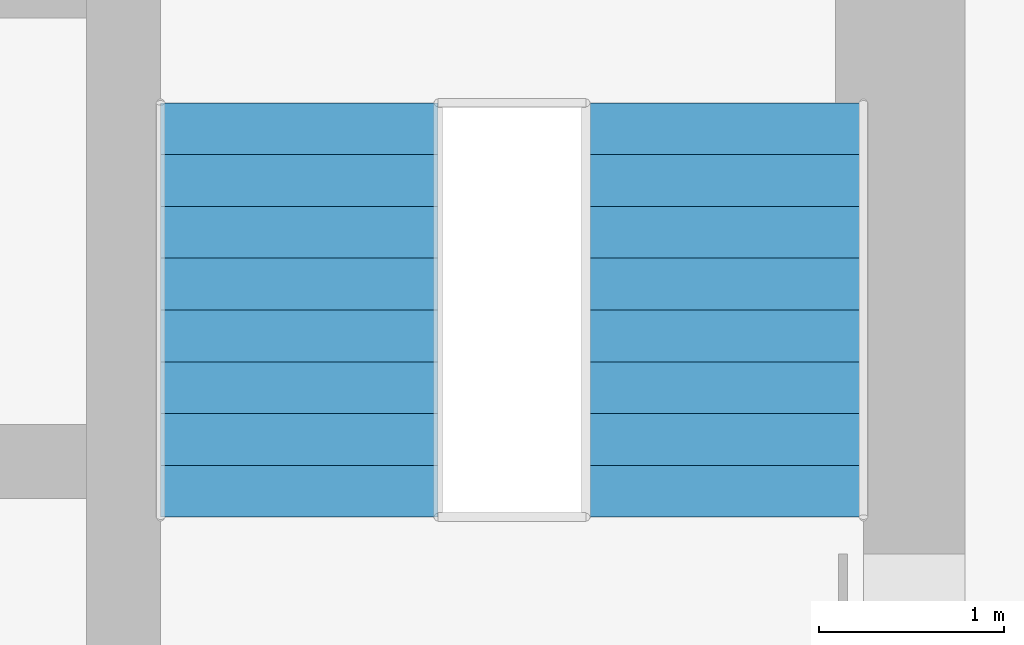
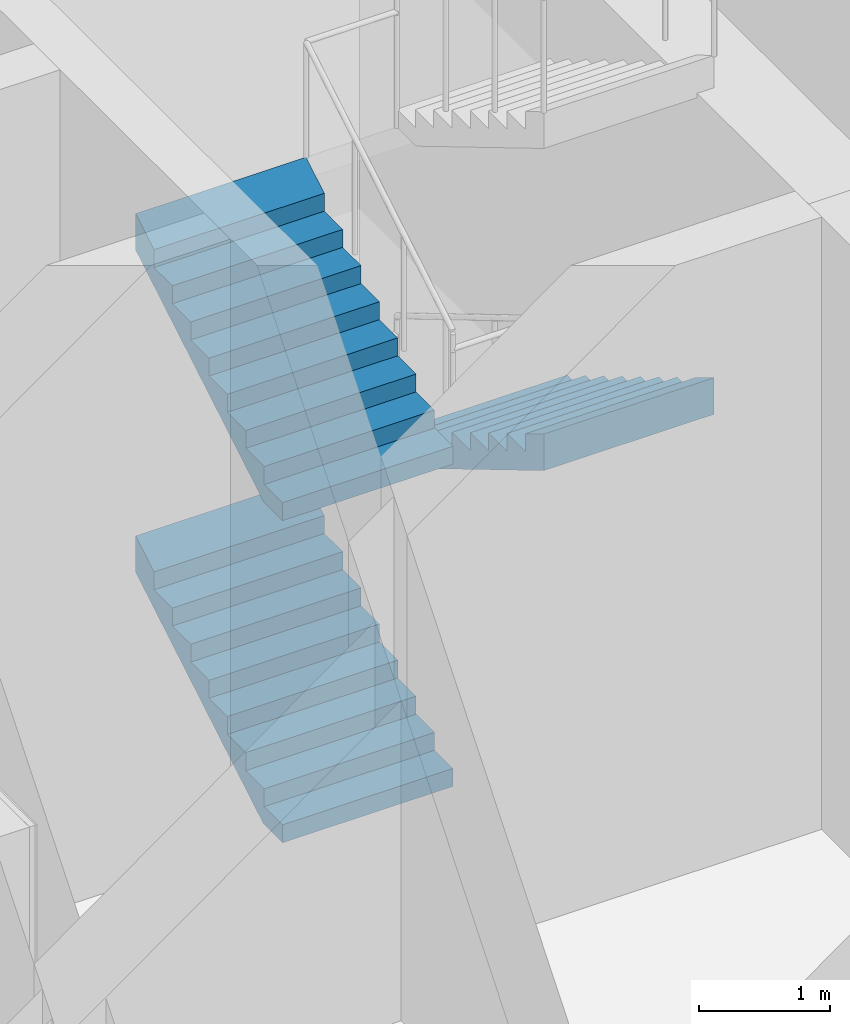
# One storey, part 21 of 32: 3 stair flights, 1 element without a shape of its own.
"""IFC4 building model written with IfcOpenShell, lengths in metres."""

from ifc_helpers import new_model, si_unit, direction, frame, origin, place, context, subcontext, project, spatial, triangles, material, type_object, element, aggregate, save


model = new_model("IFC4")

# Units and contexts
model_context = context("Model", 3, precision=1e-05, world=origin(), true_north=direction((0.0, 1.0)))
body_context = subcontext(model_context, "Body", "Model", "MODEL_VIEW")
ifc_project = project(units=[si_unit("LENGTHUNIT", "METRE"), si_unit("AREAUNIT", "SQUARE_METRE"), si_unit("VOLUMEUNIT", "CUBIC_METRE"), si_unit("PLANEANGLEUNIT", "RADIAN"), si_unit("MASSUNIT", "GRAM", prefix="KILO")], contexts=[model_context])

# Site, building, storey
site_placement = place(None, origin())
site = spatial("IfcSite", under=ifc_project, at=site_placement, CompositionType="ELEMENT")
building_placement = place(site_placement, origin())
building = spatial("IfcBuilding", under=site, at=building_placement, Name="Ludao Terraces", CompositionType="ELEMENT")
storey_placement = place(building_placement, origin())
storey = spatial("IfcBuildingStorey", under=building, at=storey_placement, Name="L00", CompositionType="ELEMENT", Elevation=0.0)

# Stair, stair flights
ifc_material = material(Name="Concrete C40", Category="concrete")
stair_type = type_object("IfcStairType", Name="INT Stair", PredefinedType="HALF_TURN_STAIR", material=ifc_material)
stair_placement = place(storey_placement, origin())
stair = element("IfcStair", 1, at=stair_placement, inside=storey, type_object=stair_type, Name="EXIT STAIR 2", PredefinedType="HALF_TURN_STAIR")
stair_flight_type = type_object("IfcStairFlightType", Name="INT Stair flight", PredefinedType="STRAIGHT", material=ifc_material)
stair_flight_1_placement = place(storey_placement, frame((91.5, 79.0, 0.0), z_axis=(0.0, 0.0, 1.0), x_axis=(0.0, 1.0, 0.0)))
stair_flight_1 = element("IfcStairFlight", 2, at=stair_flight_1_placement, type_object=stair_flight_type, Name="ST2 flight 1", NumberOfRisers=9, NumberOfTreads=8, PredefinedType="STRAIGHT", RiserHeight=0.166667, TreadLength=0.28, context=body_context, shape_type="Tessellation", body=[
    triangles([(0.0, -0.75, 0.0), (0.0, -0.5, 0.0), (0.0, -0.25, 0.0), (0.0, 0.0, 0.0), (0.0, 0.25, 0.0), (0.0, 0.5, 0.0), (0.0, 0.75, 0.0), (0.0, -0.75, 0.166748046875), (0.0, -0.5, 0.166748046875), (0.0, -0.25, 0.166748046875), (0.0, 0.0, 0.166748046875), (0.0, 0.25, 0.166748046875), (0.0, 0.5, 0.166748046875), (0.0, 0.75, 0.166748046875), (0.280029296875, -0.75, 0.166748046875), (0.280029296875, -0.5, 0.166748046875), (0.280029296875, -0.25, 0.166748046875), (0.280029296875, 0.0, 0.166748046875), (0.280029296875, 0.25, 0.166748046875), (0.280029296875, 0.5, 0.166748046875), (0.280029296875, 0.75, 0.166748046875), (0.280029296875, -0.75, 0.333251953125), (0.280029296875, -0.5, 0.333251953125), (0.280029296875, -0.25, 0.333251953125), (0.280029296875, 0.0, 0.333251953125), (0.280029296875, 0.25, 0.333251953125), (0.280029296875, 0.5, 0.333251953125), (0.280029296875, 0.75, 0.333251953125), (0.56005859375, -0.75, 0.333251953125), (0.56005859375, -0.5, 0.333251953125), (0.56005859375, -0.25, 0.333251953125), (0.56005859375, 0.0, 0.333251953125), (0.56005859375, 0.25, 0.333251953125), (0.56005859375, 0.5, 0.333251953125), (0.56005859375, 0.75, 0.333251953125), (0.56005859375, -0.75, 0.5), (0.56005859375, -0.5, 0.5), (0.56005859375, -0.25, 0.5), (0.56005859375, 0.0, 0.5), (0.56005859375, 0.25, 0.5), (0.56005859375, 0.5, 0.5), (0.56005859375, 0.75, 0.5), (0.840087890625, -0.75, 0.5), (0.840087890625, -0.5, 0.5), (0.840087890625, -0.25, 0.5), (0.840087890625, 0.0, 0.5), (0.840087890625, 0.25, 0.5), (0.840087890625, 0.5, 0.5), (0.840087890625, 0.75, 0.5), (0.840087890625, -0.75, 0.666748046875), (0.840087890625, -0.5, 0.666748046875), (0.840087890625, -0.25, 0.666748046875), (0.840087890625, 0.0, 0.666748046875), (0.840087890625, 0.25, 0.666748046875), (0.840087890625, 0.5, 0.666748046875), (0.840087890625, 0.75, 0.666748046875), (1.1201171875, -0.75, 0.666748046875), (1.1201171875, -0.5, 0.666748046875), (1.1201171875, -0.25, 0.666748046875), (1.1201171875, 0.0, 0.666748046875), (1.1201171875, 0.25, 0.666748046875), (1.1201171875, 0.5, 0.666748046875), (1.1201171875, 0.75, 0.666748046875), (1.1201171875, -0.75, 0.833251953125), (1.1201171875, -0.5, 0.833251953125), (1.1201171875, -0.25, 0.833251953125), (1.1201171875, 0.0, 0.833251953125), (1.1201171875, 0.25, 0.833251953125), (1.1201171875, 0.5, 0.833251953125), (1.1201171875, 0.75, 0.833251953125), (1.39990234375, -0.75, 0.833251953125), (1.39990234375, -0.5, 0.833251953125), (1.39990234375, -0.25, 0.833251953125), (1.39990234375, 0.0, 0.833251953125), (1.39990234375, 0.25, 0.833251953125), (1.39990234375, 0.5, 0.833251953125), (1.39990234375, 0.75, 0.833251953125), (1.39990234375, -0.75, 1.0), (1.39990234375, -0.5, 1.0), (1.39990234375, -0.25, 1.0), (1.39990234375, 0.0, 1.0), (1.39990234375, 0.25, 1.0), (1.39990234375, 0.5, 1.0), (1.39990234375, 0.75, 1.0), (1.679931640625, -0.75, 1.0), (1.679931640625, -0.5, 1.0), (1.679931640625, -0.25, 1.0), (1.679931640625, 0.0, 1.0), (1.679931640625, 0.25, 1.0), (1.679931640625, 0.5, 1.0), (1.679931640625, 0.75, 1.0), (1.679931640625, -0.75, 1.166748046875), (1.679931640625, -0.5, 1.166748046875), (1.679931640625, -0.25, 1.166748046875), (1.679931640625, 0.0, 1.166748046875), (1.679931640625, 0.25, 1.166748046875), (1.679931640625, 0.5, 1.166748046875), (1.679931640625, 0.75, 1.166748046875), (1.9599609375, -0.75, 1.166748046875), (1.9599609375, -0.5, 1.166748046875), (1.9599609375, -0.25, 1.166748046875), (1.9599609375, 0.0, 1.166748046875), (1.9599609375, 0.25, 1.166748046875), (1.9599609375, 0.5, 1.166748046875), (1.9599609375, 0.75, 1.166748046875), (1.9599609375, -0.75, 1.333251953125), (1.9599609375, -0.5, 1.333251953125), (1.9599609375, -0.25, 1.333251953125), (1.9599609375, 0.0, 1.333251953125), (1.9599609375, 0.25, 1.333251953125), (1.9599609375, 0.5, 1.333251953125), (1.9599609375, 0.75, 1.333251953125), (2.239990234375, -0.75, 1.5), (2.239990234375, -0.5, 1.5), (2.239990234375, -0.25, 1.5), (2.239990234375, 0.0, 1.5), (2.239990234375, 0.25, 1.5), (2.239990234375, 0.5, 1.5), (2.239990234375, 0.75, 1.5), (2.239990234375, -0.75, 1.158935546875), (2.239990234375, -0.5, 1.158935546875), (2.239990234375, -0.25, 1.158935546875), (2.239990234375, 0.0, 1.158935546875), (2.239990234375, 0.25, 1.158935546875), (2.239990234375, 0.5, 1.158935546875), (2.239990234375, 0.75, 1.158935546875), (0.29296875, -0.75, 0.0), (0.29296875, -0.5, 0.0), (0.29296875, -0.25, 0.0), (0.29296875, 0.0, 0.0), (0.29296875, 0.25, 0.0), (0.29296875, 0.5, 0.0), (0.29296875, 0.75, 0.0)], [[1, 127, 120], [7, 126, 133], [120, 113, 106], [126, 112, 119], [120, 106, 99], [126, 105, 112], [120, 99, 92], [126, 98, 105], [120, 92, 85], [126, 91, 98], [85, 78, 71], [91, 77, 84], [120, 85, 71], [126, 77, 91], [71, 64, 57], [77, 63, 70], [120, 71, 57], [126, 63, 77], [57, 50, 43], [63, 49, 56], [120, 57, 43], [126, 49, 63], [43, 36, 29], [49, 35, 42], [120, 43, 29], [126, 35, 49], [1, 120, 29], [7, 35, 126], [29, 22, 15], [35, 21, 28], [1, 29, 15], [7, 21, 35], [15, 8, 1], [21, 7, 14], [1, 9, 2], [1, 8, 9], [2, 10, 3], [2, 9, 10], [3, 11, 4], [3, 10, 11], [4, 12, 5], [4, 11, 12], [5, 13, 6], [5, 12, 13], [6, 14, 7], [6, 13, 14], [8, 16, 9], [8, 15, 16], [9, 17, 10], [9, 16, 17], [10, 18, 11], [10, 17, 18], [11, 19, 12], [11, 18, 19], [12, 20, 13], [12, 19, 20], [13, 21, 14], [13, 20, 21], [15, 23, 16], [15, 22, 23], [16, 24, 17], [16, 23, 24], [17, 25, 18], [17, 24, 25], [18, 26, 19], [18, 25, 26], [19, 27, 20], [19, 26, 27], [20, 28, 21], [20, 27, 28], [22, 30, 23], [22, 29, 30], [23, 31, 24], [23, 30, 31], [24, 32, 25], [24, 31, 32], [25, 33, 26], [25, 32, 33], [26, 34, 27], [26, 33, 34], [27, 35, 28], [27, 34, 35], [29, 37, 30], [29, 36, 37], [30, 38, 31], [30, 37, 38], [31, 39, 32], [31, 38, 39], [32, 40, 33], [32, 39, 40], [33, 41, 34], [33, 40, 41], [34, 42, 35], [34, 41, 42], [36, 44, 37], [36, 43, 44], [37, 45, 38], [37, 44, 45], [38, 46, 39], [38, 45, 46], [39, 47, 40], [39, 46, 47], [40, 48, 41], [40, 47, 48], [41, 49, 42], [41, 48, 49], [43, 51, 44], [43, 50, 51], [44, 52, 45], [44, 51, 52], [45, 53, 46], [45, 52, 53], [46, 54, 47], [46, 53, 54], [47, 55, 48], [47, 54, 55], [48, 56, 49], [48, 55, 56], [50, 58, 51], [50, 57, 58], [51, 59, 52], [51, 58, 59], [52, 60, 53], [52, 59, 60], [53, 61, 54], [53, 60, 61], [54, 62, 55], [54, 61, 62], [55, 63, 56], [55, 62, 63], [57, 65, 58], [57, 64, 65], [58, 66, 59], [58, 65, 66], [59, 67, 60], [59, 66, 67], [60, 68, 61], [60, 67, 68], [61, 69, 62], [61, 68, 69], [62, 70, 63], [62, 69, 70], [64, 72, 65], [64, 71, 72], [65, 73, 66], [65, 72, 73], [66, 74, 67], [66, 73, 74], [67, 75, 68], [67, 74, 75], [68, 76, 69], [68, 75, 76], [69, 77, 70], [69, 76, 77], [71, 79, 72], [71, 78, 79], [72, 80, 73], [72, 79, 80], [73, 81, 74], [73, 80, 81], [74, 82, 75], [74, 81, 82], [75, 83, 76], [75, 82, 83], [76, 84, 77], [76, 83, 84], [78, 86, 79], [78, 85, 86], [79, 87, 80], [79, 86, 87], [80, 88, 81], [80, 87, 88], [81, 89, 82], [81, 88, 89], [82, 90, 83], [82, 89, 90], [83, 91, 84], [83, 90, 91], [85, 93, 86], [85, 92, 93], [86, 94, 87], [86, 93, 94], [87, 95, 88], [87, 94, 95], [88, 96, 89], [88, 95, 96], [89, 97, 90], [89, 96, 97], [90, 98, 91], [90, 97, 98], [92, 100, 93], [92, 99, 100], [93, 101, 94], [93, 100, 101], [94, 102, 95], [94, 101, 102], [95, 103, 96], [95, 102, 103], [96, 104, 97], [96, 103, 104], [97, 105, 98], [97, 104, 105], [99, 107, 100], [99, 106, 107], [100, 108, 101], [100, 107, 108], [101, 109, 102], [101, 108, 109], [102, 110, 103], [102, 109, 110], [103, 111, 104], [103, 110, 111], [104, 112, 105], [104, 111, 112], [106, 114, 107], [106, 113, 114], [107, 115, 108], [107, 114, 115], [108, 116, 109], [108, 115, 116], [109, 117, 110], [109, 116, 117], [110, 118, 111], [110, 117, 118], [111, 119, 112], [111, 118, 119], [113, 121, 114], [113, 120, 121], [114, 122, 115], [114, 121, 122], [115, 123, 116], [115, 122, 123], [116, 124, 117], [116, 123, 124], [117, 125, 118], [117, 124, 125], [118, 126, 119], [118, 125, 126], [120, 128, 121], [120, 127, 128], [121, 129, 122], [121, 128, 129], [122, 130, 123], [122, 129, 130], [123, 131, 124], [123, 130, 131], [124, 132, 125], [124, 131, 132], [125, 133, 126], [125, 132, 133], [127, 2, 128], [127, 1, 2], [128, 3, 129], [128, 2, 3], [129, 4, 130], [129, 3, 4], [130, 5, 131], [130, 4, 5], [131, 6, 132], [131, 5, 6], [132, 7, 133], [132, 6, 7]], closed=True),
])
stair_flight_2_placement = place(storey_placement, frame((93.800048828125, 81.239990234375, 1.5), z_axis=(0.0, 0.0, 1.0), x_axis=(0.0, -1.0, 0.0)))
stair_flight_2 = element("IfcStairFlight", 3, at=stair_flight_2_placement, type_object=stair_flight_type, Name="ST2 flight 2", NumberOfRisers=9, NumberOfTreads=8, PredefinedType="STRAIGHT", RiserHeight=0.166667, TreadLength=0.28, context=body_context, shape_type="Tessellation", body=[
    triangles([(0.0, -0.75, 0.0), (0.0, -0.5, 0.0), (0.0, -0.25, 0.0), (0.0, 0.0, 0.0), (0.0, 0.25, 0.0), (0.0, 0.5, 0.0), (0.0, 0.75, 0.0), (0.0, -0.75, 0.166748046875), (0.0, -0.5, 0.166748046875), (0.0, -0.25, 0.166748046875), (0.0, 0.0, 0.166748046875), (0.0, 0.25, 0.166748046875), (0.0, 0.5, 0.166748046875), (0.0, 0.75, 0.166748046875), (0.280029296875, -0.75, 0.166748046875), (0.280029296875, -0.5, 0.166748046875), (0.280029296875, -0.25, 0.166748046875), (0.280029296875, 0.0, 0.166748046875), (0.280029296875, 0.25, 0.166748046875), (0.280029296875, 0.5, 0.166748046875), (0.280029296875, 0.75, 0.166748046875), (0.280029296875, -0.75, 0.333251953125), (0.280029296875, -0.5, 0.333251953125), (0.280029296875, -0.25, 0.333251953125), (0.280029296875, 0.0, 0.333251953125), (0.280029296875, 0.25, 0.333251953125), (0.280029296875, 0.5, 0.333251953125), (0.280029296875, 0.75, 0.333251953125), (0.56005859375, -0.75, 0.333251953125), (0.56005859375, -0.5, 0.333251953125), (0.56005859375, -0.25, 0.333251953125), (0.56005859375, 0.0, 0.333251953125), (0.56005859375, 0.25, 0.333251953125), (0.56005859375, 0.5, 0.333251953125), (0.56005859375, 0.75, 0.333251953125), (0.56005859375, -0.75, 0.5), (0.56005859375, -0.5, 0.5), (0.56005859375, -0.25, 0.5), (0.56005859375, 0.0, 0.5), (0.56005859375, 0.25, 0.5), (0.56005859375, 0.5, 0.5), (0.56005859375, 0.75, 0.5), (0.840087890625, -0.75, 0.5), (0.840087890625, -0.5, 0.5), (0.840087890625, -0.25, 0.5), (0.840087890625, 0.0, 0.5), (0.840087890625, 0.25, 0.5), (0.840087890625, 0.5, 0.5), (0.840087890625, 0.75, 0.5), (0.840087890625, -0.75, 0.666748046875), (0.840087890625, -0.5, 0.666748046875), (0.840087890625, -0.25, 0.666748046875), (0.840087890625, 0.0, 0.666748046875), (0.840087890625, 0.25, 0.666748046875), (0.840087890625, 0.5, 0.666748046875), (0.840087890625, 0.75, 0.666748046875), (1.1201171875, -0.75, 0.666748046875), (1.1201171875, -0.5, 0.666748046875), (1.1201171875, -0.25, 0.666748046875), (1.1201171875, 0.0, 0.666748046875), (1.1201171875, 0.25, 0.666748046875), (1.1201171875, 0.5, 0.666748046875), (1.1201171875, 0.75, 0.666748046875), (1.1201171875, -0.75, 0.833251953125), (1.1201171875, -0.5, 0.833251953125), (1.1201171875, -0.25, 0.833251953125), (1.1201171875, 0.0, 0.833251953125), (1.1201171875, 0.25, 0.833251953125), (1.1201171875, 0.5, 0.833251953125), (1.1201171875, 0.75, 0.833251953125), (1.39990234375, -0.75, 0.833251953125), (1.39990234375, -0.5, 0.833251953125), (1.39990234375, -0.25, 0.833251953125), (1.39990234375, 0.0, 0.833251953125), (1.39990234375, 0.25, 0.833251953125), (1.39990234375, 0.5, 0.833251953125), (1.39990234375, 0.75, 0.833251953125), (1.39990234375, -0.75, 1.0), (1.39990234375, -0.5, 1.0), (1.39990234375, -0.25, 1.0), (1.39990234375, 0.0, 1.0), (1.39990234375, 0.25, 1.0), (1.39990234375, 0.5, 1.0), (1.39990234375, 0.75, 1.0), (1.679931640625, -0.75, 1.0), (1.679931640625, -0.5, 1.0), (1.679931640625, -0.25, 1.0), (1.679931640625, 0.0, 1.0), (1.679931640625, 0.25, 1.0), (1.679931640625, 0.5, 1.0), (1.679931640625, 0.75, 1.0), (1.679931640625, -0.75, 1.166748046875), (1.679931640625, -0.5, 1.166748046875), (1.679931640625, -0.25, 1.166748046875), (1.679931640625, 0.0, 1.166748046875), (1.679931640625, 0.25, 1.166748046875), (1.679931640625, 0.5, 1.166748046875), (1.679931640625, 0.75, 1.166748046875), (1.9599609375, -0.75, 1.166748046875), (1.9599609375, -0.5, 1.166748046875), (1.9599609375, -0.25, 1.166748046875), (1.9599609375, 0.0, 1.166748046875), (1.9599609375, 0.25, 1.166748046875), (1.9599609375, 0.5, 1.166748046875), (1.9599609375, 0.75, 1.166748046875), (1.9599609375, -0.75, 1.333251953125), (1.9599609375, -0.5, 1.333251953125), (1.9599609375, -0.25, 1.333251953125), (1.9599609375, 0.0, 1.333251953125), (1.9599609375, 0.25, 1.333251953125), (1.9599609375, 0.5, 1.333251953125), (1.9599609375, 0.75, 1.333251953125), (2.239990234375, -0.75, 1.5), (2.239990234375, -0.5, 1.5), (2.239990234375, -0.25, 1.5), (2.239990234375, 0.0, 1.5), (2.239990234375, 0.25, 1.5), (2.239990234375, 0.5, 1.5), (2.239990234375, 0.75, 1.5), (2.239990234375, -0.75, 1.158935546875), (2.239990234375, -0.5, 1.158935546875), (2.239990234375, -0.25, 1.158935546875), (2.239990234375, 0.0, 1.158935546875), (2.239990234375, 0.25, 1.158935546875), (2.239990234375, 0.5, 1.158935546875), (2.239990234375, 0.75, 1.158935546875), (0.29296875, -0.75, 0.0), (0.29296875, -0.5, 0.0), (0.29296875, -0.25, 0.0), (0.29296875, 0.0, 0.0), (0.29296875, 0.25, 0.0), (0.29296875, 0.5, 0.0), (0.29296875, 0.75, 0.0)], [[1, 127, 120], [7, 126, 133], [120, 113, 106], [126, 112, 119], [120, 106, 99], [126, 105, 112], [120, 99, 92], [126, 98, 105], [120, 92, 85], [126, 91, 98], [85, 78, 71], [91, 77, 84], [120, 85, 71], [126, 77, 91], [71, 64, 57], [77, 63, 70], [120, 71, 57], [126, 63, 77], [57, 50, 43], [63, 49, 56], [120, 57, 43], [126, 49, 63], [43, 36, 29], [49, 35, 42], [120, 43, 29], [126, 35, 49], [1, 120, 29], [7, 35, 126], [29, 22, 15], [35, 21, 28], [1, 29, 15], [7, 21, 35], [15, 8, 1], [21, 7, 14], [1, 9, 2], [1, 8, 9], [2, 10, 3], [2, 9, 10], [3, 11, 4], [3, 10, 11], [4, 12, 5], [4, 11, 12], [5, 13, 6], [5, 12, 13], [6, 14, 7], [6, 13, 14], [8, 16, 9], [8, 15, 16], [9, 17, 10], [9, 16, 17], [10, 18, 11], [10, 17, 18], [11, 19, 12], [11, 18, 19], [12, 20, 13], [12, 19, 20], [13, 21, 14], [13, 20, 21], [15, 23, 16], [15, 22, 23], [16, 24, 17], [16, 23, 24], [17, 25, 18], [17, 24, 25], [18, 26, 19], [18, 25, 26], [19, 27, 20], [19, 26, 27], [20, 28, 21], [20, 27, 28], [22, 30, 23], [22, 29, 30], [23, 31, 24], [23, 30, 31], [24, 32, 25], [24, 31, 32], [25, 33, 26], [25, 32, 33], [26, 34, 27], [26, 33, 34], [27, 35, 28], [27, 34, 35], [29, 37, 30], [29, 36, 37], [30, 38, 31], [30, 37, 38], [31, 39, 32], [31, 38, 39], [32, 40, 33], [32, 39, 40], [33, 41, 34], [33, 40, 41], [34, 42, 35], [34, 41, 42], [36, 44, 37], [36, 43, 44], [37, 45, 38], [37, 44, 45], [38, 46, 39], [38, 45, 46], [39, 47, 40], [39, 46, 47], [40, 48, 41], [40, 47, 48], [41, 49, 42], [41, 48, 49], [43, 51, 44], [43, 50, 51], [44, 52, 45], [44, 51, 52], [45, 53, 46], [45, 52, 53], [46, 54, 47], [46, 53, 54], [47, 55, 48], [47, 54, 55], [48, 56, 49], [48, 55, 56], [50, 58, 51], [50, 57, 58], [51, 59, 52], [51, 58, 59], [52, 60, 53], [52, 59, 60], [53, 61, 54], [53, 60, 61], [54, 62, 55], [54, 61, 62], [55, 63, 56], [55, 62, 63], [57, 65, 58], [57, 64, 65], [58, 66, 59], [58, 65, 66], [59, 67, 60], [59, 66, 67], [60, 68, 61], [60, 67, 68], [61, 69, 62], [61, 68, 69], [62, 70, 63], [62, 69, 70], [64, 72, 65], [64, 71, 72], [65, 73, 66], [65, 72, 73], [66, 74, 67], [66, 73, 74], [67, 75, 68], [67, 74, 75], [68, 76, 69], [68, 75, 76], [69, 77, 70], [69, 76, 77], [71, 79, 72], [71, 78, 79], [72, 80, 73], [72, 79, 80], [73, 81, 74], [73, 80, 81], [74, 82, 75], [74, 81, 82], [75, 83, 76], [75, 82, 83], [76, 84, 77], [76, 83, 84], [78, 86, 79], [78, 85, 86], [79, 87, 80], [79, 86, 87], [80, 88, 81], [80, 87, 88], [81, 89, 82], [81, 88, 89], [82, 90, 83], [82, 89, 90], [83, 91, 84], [83, 90, 91], [85, 93, 86], [85, 92, 93], [86, 94, 87], [86, 93, 94], [87, 95, 88], [87, 94, 95], [88, 96, 89], [88, 95, 96], [89, 97, 90], [89, 96, 97], [90, 98, 91], [90, 97, 98], [92, 100, 93], [92, 99, 100], [93, 101, 94], [93, 100, 101], [94, 102, 95], [94, 101, 102], [95, 103, 96], [95, 102, 103], [96, 104, 97], [96, 103, 104], [97, 105, 98], [97, 104, 105], [99, 107, 100], [99, 106, 107], [100, 108, 101], [100, 107, 108], [101, 109, 102], [101, 108, 109], [102, 110, 103], [102, 109, 110], [103, 111, 104], [103, 110, 111], [104, 112, 105], [104, 111, 112], [106, 114, 107], [106, 113, 114], [107, 115, 108], [107, 114, 115], [108, 116, 109], [108, 115, 116], [109, 117, 110], [109, 116, 117], [110, 118, 111], [110, 117, 118], [111, 119, 112], [111, 118, 119], [113, 121, 114], [113, 120, 121], [114, 122, 115], [114, 121, 122], [115, 123, 116], [115, 122, 123], [116, 124, 117], [116, 123, 124], [117, 125, 118], [117, 124, 125], [118, 126, 119], [118, 125, 126], [120, 128, 121], [120, 127, 128], [121, 129, 122], [121, 128, 129], [122, 130, 123], [122, 129, 130], [123, 131, 124], [123, 130, 131], [124, 132, 125], [124, 131, 132], [125, 133, 126], [125, 132, 133], [127, 2, 128], [127, 1, 2], [128, 3, 129], [128, 2, 3], [129, 4, 130], [129, 3, 4], [130, 5, 131], [130, 4, 5], [131, 6, 132], [131, 5, 6], [132, 7, 133], [132, 6, 7]], closed=True),
])
stair_flight_3_placement = place(storey_placement, frame((91.5, 79.0, 3.0), z_axis=(0.0, 0.0, 1.0), x_axis=(0.0, 1.0, 0.0)))
stair_flight_3 = element("IfcStairFlight", 4, at=stair_flight_3_placement, type_object=stair_flight_type, Name="ST2 flight 3", NumberOfRisers=9, NumberOfTreads=8, PredefinedType="STRAIGHT", RiserHeight=0.166667, TreadLength=0.28, context=body_context, shape_type="Tessellation", body=[
    triangles([(0.0, -0.75, 0.0), (0.0, -0.5, 0.0), (0.0, -0.25, 0.0), (0.0, 0.0, 0.0), (0.0, 0.25, 0.0), (0.0, 0.5, 0.0), (0.0, 0.75, 0.0), (0.0, -0.75, 0.166748046875), (0.0, -0.5, 0.166748046875), (0.0, -0.25, 0.166748046875), (0.0, 0.0, 0.166748046875), (0.0, 0.25, 0.166748046875), (0.0, 0.5, 0.166748046875), (0.0, 0.75, 0.166748046875), (0.280029296875, -0.75, 0.166748046875), (0.280029296875, -0.5, 0.166748046875), (0.280029296875, -0.25, 0.166748046875), (0.280029296875, 0.0, 0.166748046875), (0.280029296875, 0.25, 0.166748046875), (0.280029296875, 0.5, 0.166748046875), (0.280029296875, 0.75, 0.166748046875), (0.280029296875, -0.75, 0.333251953125), (0.280029296875, -0.5, 0.333251953125), (0.280029296875, -0.25, 0.333251953125), (0.280029296875, 0.0, 0.333251953125), (0.280029296875, 0.25, 0.333251953125), (0.280029296875, 0.5, 0.333251953125), (0.280029296875, 0.75, 0.333251953125), (0.56005859375, -0.75, 0.333251953125), (0.56005859375, -0.5, 0.333251953125), (0.56005859375, -0.25, 0.333251953125), (0.56005859375, 0.0, 0.333251953125), (0.56005859375, 0.25, 0.333251953125), (0.56005859375, 0.5, 0.333251953125), (0.56005859375, 0.75, 0.333251953125), (0.56005859375, -0.75, 0.5), (0.56005859375, -0.5, 0.5), (0.56005859375, -0.25, 0.5), (0.56005859375, 0.0, 0.5), (0.56005859375, 0.25, 0.5), (0.56005859375, 0.5, 0.5), (0.56005859375, 0.75, 0.5), (0.840087890625, -0.75, 0.5), (0.840087890625, -0.5, 0.5), (0.840087890625, -0.25, 0.5), (0.840087890625, 0.0, 0.5), (0.840087890625, 0.25, 0.5), (0.840087890625, 0.5, 0.5), (0.840087890625, 0.75, 0.5), (0.840087890625, -0.75, 0.666748046875), (0.840087890625, -0.5, 0.666748046875), (0.840087890625, -0.25, 0.666748046875), (0.840087890625, 0.0, 0.666748046875), (0.840087890625, 0.25, 0.666748046875), (0.840087890625, 0.5, 0.666748046875), (0.840087890625, 0.75, 0.666748046875), (1.1201171875, -0.75, 0.666748046875), (1.1201171875, -0.5, 0.666748046875), (1.1201171875, -0.25, 0.666748046875), (1.1201171875, 0.0, 0.666748046875), (1.1201171875, 0.25, 0.666748046875), (1.1201171875, 0.5, 0.666748046875), (1.1201171875, 0.75, 0.666748046875), (1.1201171875, -0.75, 0.833251953125), (1.1201171875, -0.5, 0.833251953125), (1.1201171875, -0.25, 0.833251953125), (1.1201171875, 0.0, 0.833251953125), (1.1201171875, 0.25, 0.833251953125), (1.1201171875, 0.5, 0.833251953125), (1.1201171875, 0.75, 0.833251953125), (1.39990234375, -0.75, 0.833251953125), (1.39990234375, -0.5, 0.833251953125), (1.39990234375, -0.25, 0.833251953125), (1.39990234375, 0.0, 0.833251953125), (1.39990234375, 0.25, 0.833251953125), (1.39990234375, 0.5, 0.833251953125), (1.39990234375, 0.75, 0.833251953125), (1.39990234375, -0.75, 1.0), (1.39990234375, -0.5, 1.0), (1.39990234375, -0.25, 1.0), (1.39990234375, 0.0, 1.0), (1.39990234375, 0.25, 1.0), (1.39990234375, 0.5, 1.0), (1.39990234375, 0.75, 1.0), (1.679931640625, -0.75, 1.0), (1.679931640625, -0.5, 1.0), (1.679931640625, -0.25, 1.0), (1.679931640625, 0.0, 1.0), (1.679931640625, 0.25, 1.0), (1.679931640625, 0.5, 1.0), (1.679931640625, 0.75, 1.0), (1.679931640625, -0.75, 1.166748046875), (1.679931640625, -0.5, 1.166748046875), (1.679931640625, -0.25, 1.166748046875), (1.679931640625, 0.0, 1.166748046875), (1.679931640625, 0.25, 1.166748046875), (1.679931640625, 0.5, 1.166748046875), (1.679931640625, 0.75, 1.166748046875), (1.9599609375, -0.75, 1.166748046875), (1.9599609375, -0.5, 1.166748046875), (1.9599609375, -0.25, 1.166748046875), (1.9599609375, 0.0, 1.166748046875), (1.9599609375, 0.25, 1.166748046875), (1.9599609375, 0.5, 1.166748046875), (1.9599609375, 0.75, 1.166748046875), (1.9599609375, -0.75, 1.333251953125), (1.9599609375, -0.5, 1.333251953125), (1.9599609375, -0.25, 1.333251953125), (1.9599609375, 0.0, 1.333251953125), (1.9599609375, 0.25, 1.333251953125), (1.9599609375, 0.5, 1.333251953125), (1.9599609375, 0.75, 1.333251953125), (2.239990234375, -0.75, 1.5), (2.239990234375, -0.5, 1.5), (2.239990234375, -0.25, 1.5), (2.239990234375, 0.0, 1.5), (2.239990234375, 0.25, 1.5), (2.239990234375, 0.5, 1.5), (2.239990234375, 0.75, 1.5), (2.239990234375, -0.75, 1.158935546875), (2.239990234375, -0.5, 1.158935546875), (2.239990234375, -0.25, 1.158935546875), (2.239990234375, 0.0, 1.158935546875), (2.239990234375, 0.25, 1.158935546875), (2.239990234375, 0.5, 1.158935546875), (2.239990234375, 0.75, 1.158935546875), (0.29296875, -0.75, 0.0), (0.29296875, -0.5, 0.0), (0.29296875, -0.25, 0.0), (0.29296875, 0.0, 0.0), (0.29296875, 0.25, 0.0), (0.29296875, 0.5, 0.0), (0.29296875, 0.75, 0.0)], [[1, 127, 120], [7, 126, 133], [120, 113, 106], [126, 112, 119], [120, 106, 99], [126, 105, 112], [120, 99, 92], [126, 98, 105], [120, 92, 85], [126, 91, 98], [85, 78, 71], [91, 77, 84], [120, 85, 71], [126, 77, 91], [71, 64, 57], [77, 63, 70], [120, 71, 57], [126, 63, 77], [57, 50, 43], [63, 49, 56], [120, 57, 43], [126, 49, 63], [43, 36, 29], [49, 35, 42], [120, 43, 29], [126, 35, 49], [1, 120, 29], [7, 35, 126], [29, 22, 15], [35, 21, 28], [1, 29, 15], [7, 21, 35], [15, 8, 1], [21, 7, 14], [1, 9, 2], [1, 8, 9], [2, 10, 3], [2, 9, 10], [3, 11, 4], [3, 10, 11], [4, 12, 5], [4, 11, 12], [5, 13, 6], [5, 12, 13], [6, 14, 7], [6, 13, 14], [8, 16, 9], [8, 15, 16], [9, 17, 10], [9, 16, 17], [10, 18, 11], [10, 17, 18], [11, 19, 12], [11, 18, 19], [12, 20, 13], [12, 19, 20], [13, 21, 14], [13, 20, 21], [15, 23, 16], [15, 22, 23], [16, 24, 17], [16, 23, 24], [17, 25, 18], [17, 24, 25], [18, 26, 19], [18, 25, 26], [19, 27, 20], [19, 26, 27], [20, 28, 21], [20, 27, 28], [22, 30, 23], [22, 29, 30], [23, 31, 24], [23, 30, 31], [24, 32, 25], [24, 31, 32], [25, 33, 26], [25, 32, 33], [26, 34, 27], [26, 33, 34], [27, 35, 28], [27, 34, 35], [29, 37, 30], [29, 36, 37], [30, 38, 31], [30, 37, 38], [31, 39, 32], [31, 38, 39], [32, 40, 33], [32, 39, 40], [33, 41, 34], [33, 40, 41], [34, 42, 35], [34, 41, 42], [36, 44, 37], [36, 43, 44], [37, 45, 38], [37, 44, 45], [38, 46, 39], [38, 45, 46], [39, 47, 40], [39, 46, 47], [40, 48, 41], [40, 47, 48], [41, 49, 42], [41, 48, 49], [43, 51, 44], [43, 50, 51], [44, 52, 45], [44, 51, 52], [45, 53, 46], [45, 52, 53], [46, 54, 47], [46, 53, 54], [47, 55, 48], [47, 54, 55], [48, 56, 49], [48, 55, 56], [50, 58, 51], [50, 57, 58], [51, 59, 52], [51, 58, 59], [52, 60, 53], [52, 59, 60], [53, 61, 54], [53, 60, 61], [54, 62, 55], [54, 61, 62], [55, 63, 56], [55, 62, 63], [57, 65, 58], [57, 64, 65], [58, 66, 59], [58, 65, 66], [59, 67, 60], [59, 66, 67], [60, 68, 61], [60, 67, 68], [61, 69, 62], [61, 68, 69], [62, 70, 63], [62, 69, 70], [64, 72, 65], [64, 71, 72], [65, 73, 66], [65, 72, 73], [66, 74, 67], [66, 73, 74], [67, 75, 68], [67, 74, 75], [68, 76, 69], [68, 75, 76], [69, 77, 70], [69, 76, 77], [71, 79, 72], [71, 78, 79], [72, 80, 73], [72, 79, 80], [73, 81, 74], [73, 80, 81], [74, 82, 75], [74, 81, 82], [75, 83, 76], [75, 82, 83], [76, 84, 77], [76, 83, 84], [78, 86, 79], [78, 85, 86], [79, 87, 80], [79, 86, 87], [80, 88, 81], [80, 87, 88], [81, 89, 82], [81, 88, 89], [82, 90, 83], [82, 89, 90], [83, 91, 84], [83, 90, 91], [85, 93, 86], [85, 92, 93], [86, 94, 87], [86, 93, 94], [87, 95, 88], [87, 94, 95], [88, 96, 89], [88, 95, 96], [89, 97, 90], [89, 96, 97], [90, 98, 91], [90, 97, 98], [92, 100, 93], [92, 99, 100], [93, 101, 94], [93, 100, 101], [94, 102, 95], [94, 101, 102], [95, 103, 96], [95, 102, 103], [96, 104, 97], [96, 103, 104], [97, 105, 98], [97, 104, 105], [99, 107, 100], [99, 106, 107], [100, 108, 101], [100, 107, 108], [101, 109, 102], [101, 108, 109], [102, 110, 103], [102, 109, 110], [103, 111, 104], [103, 110, 111], [104, 112, 105], [104, 111, 112], [106, 114, 107], [106, 113, 114], [107, 115, 108], [107, 114, 115], [108, 116, 109], [108, 115, 116], [109, 117, 110], [109, 116, 117], [110, 118, 111], [110, 117, 118], [111, 119, 112], [111, 118, 119], [113, 121, 114], [113, 120, 121], [114, 122, 115], [114, 121, 122], [115, 123, 116], [115, 122, 123], [116, 124, 117], [116, 123, 124], [117, 125, 118], [117, 124, 125], [118, 126, 119], [118, 125, 126], [120, 128, 121], [120, 127, 128], [121, 129, 122], [121, 128, 129], [122, 130, 123], [122, 129, 130], [123, 131, 124], [123, 130, 131], [124, 132, 125], [124, 131, 132], [125, 133, 126], [125, 132, 133], [127, 2, 128], [127, 1, 2], [128, 3, 129], [128, 2, 3], [129, 4, 130], [129, 3, 4], [130, 5, 131], [130, 4, 5], [131, 6, 132], [131, 5, 6], [132, 7, 133], [132, 6, 7]], closed=True),
])
aggregate(stair, [stair_flight_1, stair_flight_2, stair_flight_3])

save(model, "model.ifc")
